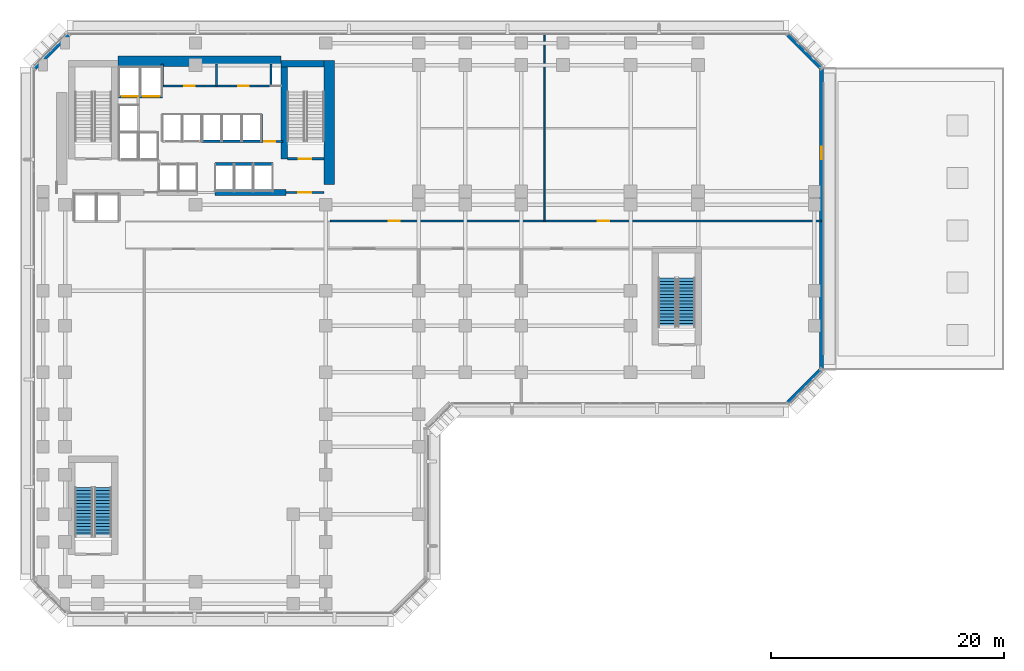
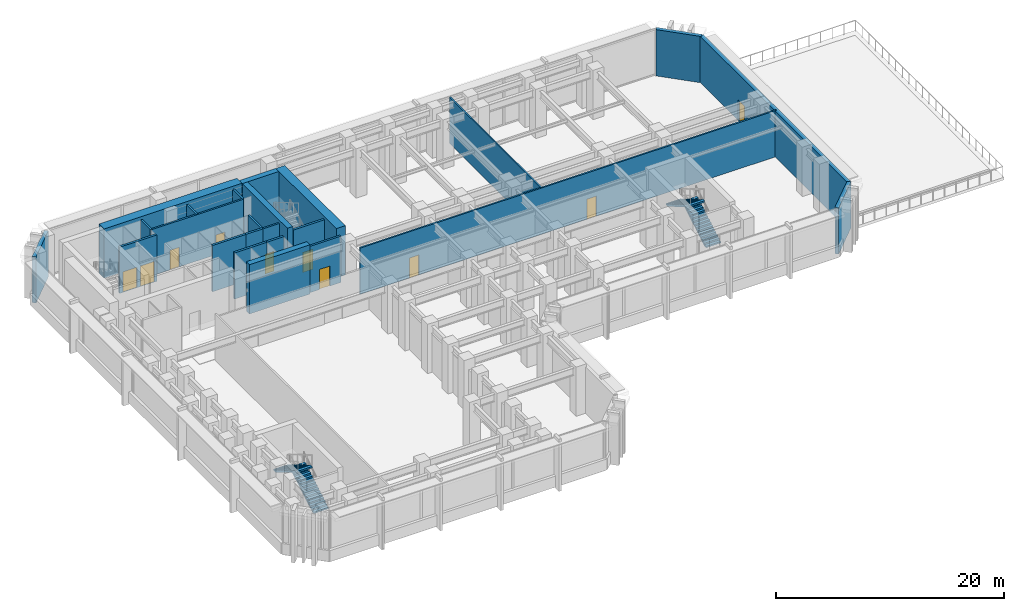
# One storey, part 8 of 16: 24 walls, 10 doors, 4 stair flights, 10 openings, 2 elements without a shape of their own.
"""IFC4 building model written with IfcOpenShell, lengths in metres."""

from ifc_helpers import new_model, si_unit, direction, frame, frame_2d, origin, place, context, subcontext, project, spatial, polyline, rectangle, outline, extrude, material, layer, layer_set, type_object, element, fill, aggregate, save


model = new_model("IFC4")

# Units and contexts
model_context = context("Model", 3, precision=1e-05, world=origin(), true_north=direction((0.0, 1.0)))
body_context = subcontext(model_context, "Body", "Model", "MODEL_VIEW")
ifc_project = project(units=[si_unit("LENGTHUNIT", "METRE"), si_unit("AREAUNIT", "SQUARE_METRE"), si_unit("VOLUMEUNIT", "CUBIC_METRE"), si_unit("PLANEANGLEUNIT", "RADIAN"), si_unit("MASSUNIT", "GRAM", prefix="KILO")], contexts=[model_context])

# Site, building, storey
site_placement = place(None, origin())
site = spatial("IfcSite", under=ifc_project, at=site_placement, CompositionType="ELEMENT")
building_placement = place(site_placement, origin())
building = spatial("IfcBuilding", under=site, at=building_placement, Name="Kefirva Bronze Tower", CompositionType="ELEMENT")
storey_placement = place(building_placement, frame((0.0, 0.0, 11.219970703125)))
storey = spatial("IfcBuildingStorey", under=building, at=storey_placement, Name="L02", CompositionType="ELEMENT", Elevation=11.219970703125)

# Wall
ifc_material_1 = material(Name="Gypsum acoustic partition")
ifc_layer_1 = layer(ifc_material_1, 0.1298828125, Name="Gypsum acoustic partition")
ifc_layer_set_1 = layer_set([ifc_layer_1], Name="Gypsum acoustic partition")
wall_type_1 = type_object("IfcWallType", Name="Acoustic Office Partition 130mm", PredefinedType="PARTITIONING", material=ifc_layer_set_1)
wall_1_placement = place(storey_placement, frame((42.0, 31.800048828125, 0.0), z_axis=(0.0, 0.0, 1.0), x_axis=(0.0, 1.0, 0.0)))
element("IfcWall", 1, at=wall_1_placement, inside=storey, type_object=wall_type_1, Name="L02 Partition W-L02-NDV", PredefinedType="PARTITIONING", context=body_context, shape_type="SweptSolid", body=[
    extrude(rectangle(XDim=16.010009765625, YDim=0.1298828125, at=frame_2d((8.0048828125, 0.0))), origin(), (0.0, 0.0, 1.0), 4.9599609375),
])

# Wall, opening, door
ifc_material_2 = material(Name="Gypsum fireboard shaftwall")
ifc_layer_2 = layer(ifc_material_2, 0.219970703125, Name="Gypsum fireboard shaftwall")
ifc_layer_set_2 = layer_set([ifc_layer_2], Name="Gypsum fireboard shaftwall")
wall_type_2 = type_object("IfcWallType", Name="Fire-Rated Shaft Enclosure Wall 220mm", PredefinedType="PARTITIONING", material=ifc_layer_set_2)
wall_2_placement = place(storey_placement, frame((19.89990234375, 37.14990234375, 0.0), z_axis=(0.0, 0.0, 1.0), x_axis=(1.0, 0.0, 0.0)))
wall_2 = element("IfcWall", 2, at=wall_2_placement, inside=storey, type_object=wall_type_2, Name="L02 Partition W-L02-ST2S", PredefinedType="PARTITIONING", context=body_context, shape_type="SweptSolid", body=[
    extrude(rectangle(XDim=3.150146484375, YDim=0.219970703125, at=frame_2d((1.5751953125, 0.0))), origin(), (0.0, 0.0, 1.0), 4.9599609375),
])
opening_1_placement = place(wall_2_placement, frame((2.050048828125, 0.0, 0.0), z_axis=(0.0, 0.0, 1.0), x_axis=(-1.0, 0.0, 0.0)))
opening_1 = element("IfcOpeningElement", 3, at=opening_1_placement, cuts=wall_2, Name="Opening L02-D003", PredefinedType="OPENING", context=body_context, shape_type="SweptSolid", body=[
    extrude(rectangle(XDim=1.050048828125, YDim=2.14990234375, at=frame_2d((0.52490234375, 1.074951171875))), frame((0.0, 0.1201171875, 0.0), z_axis=(0.0, -1.0, 0.0), x_axis=(1.0, 0.0, 0.0)), (0.0, 0.0, 1.0), 0.239990234375),
])
ifc_material_3 = material(Name="Painted galvanized steel", Category="steel")
door_type_1 = type_object("IfcDoorType", Name="Fire Stair Enclosure Door 1050x2150 FD90S", OperationType="NOTDEFINED", PredefinedType="DOOR", material=ifc_material_3)
door_1_placement = place(opening_1_placement, origin())
door_1 = element("IfcDoor", 4, at=door_1_placement, inside=storey, type_object=door_type_1, Name="Door L02-D003", OperationType="SINGLE_SWING_RIGHT", OverallHeight=2.14990234375, OverallWidth=1.050048828125, PredefinedType="DOOR", context=body_context, shape_type="SweptSolid", body=[
    extrude(rectangle(XDim=1.050048828125, YDim=2.14990234375, at=frame_2d((0.52490234375, 1.074951171875))), frame((0.0, 0.02490234375, 0.0), z_axis=(0.0, -1.0, 0.0), x_axis=(1.0, 0.0, 0.0)), (0.0, 0.0, 1.0), 0.050048828125),
])
fill(opening_1, door_1)

# Wall, openings, doors
wall_3_placement = place(storey_placement, frame((5.3798828125, 42.5, 0.0), z_axis=(0.0, 0.0, 1.0), x_axis=(1.0, 0.0, 0.0)))
wall_3 = element("IfcWall", 5, at=wall_3_placement, inside=storey, type_object=wall_type_2, Name="L02 Partition W-L02-SVS", PredefinedType="PARTITIONING", context=body_context, shape_type="SweptSolid", body=[
    extrude(rectangle(XDim=3.77001953125, YDim=0.219970703125, at=frame_2d((1.885009765625, 0.0))), origin(), (0.0, 0.0, 1.0), 4.9599609375),
])
opening_2_placement = place(wall_3_placement, frame((1.75, 0.0, 0.0), z_axis=(0.0, 0.0, 1.0), x_axis=(-1.0, 0.0, 0.0)))
opening_2 = element("IfcOpeningElement", 6, at=opening_2_placement, cuts=wall_3, Name="Opening L02-LD-SV1", PredefinedType="OPENING", context=body_context, shape_type="SweptSolid", body=[
    extrude(rectangle(XDim=1.39990234375, YDim=2.199951171875, at=frame_2d((0.699951171875, 1.10009765625))), frame((0.0, 0.1201171875, 0.0), z_axis=(0.0, -1.0, 0.0), x_axis=(1.0, 0.0, 0.0)), (0.0, 0.0, 1.0), 0.239990234375),
])
opening_3_placement = place(wall_3_placement, frame((3.52978515625, 0.0, 0.0), z_axis=(0.0, 0.0, 1.0), x_axis=(-1.0, 0.0, 0.0)))
opening_3 = element("IfcOpeningElement", 7, at=opening_3_placement, cuts=wall_3, Name="Opening L02-LD-SV2", PredefinedType="OPENING", context=body_context, shape_type="SweptSolid", body=[
    extrude(rectangle(XDim=1.39990234375, YDim=2.199951171875, at=frame_2d((0.699951171875, 1.10009765625))), frame((0.0, 0.1201171875, 0.0), z_axis=(0.0, -1.0, 0.0), x_axis=(1.0, 0.0, 0.0)), (0.0, 0.0, 1.0), 0.239990234375),
])
ifc_material_4 = material(Name="Stainless steel 316", Category="steel")
door_type_2 = type_object("IfcDoorType", Name="Goods Lift Bi-Parting Sliding Door 1400x2200", OperationType="SLIDING_TO_LEFT", PredefinedType="DOOR", material=ifc_material_4)
door_2_placement = place(opening_2_placement, origin())
door_2 = element("IfcDoor", 8, at=door_2_placement, inside=storey, type_object=door_type_2, Name="Door L02-LD-SV1", OperationType="SLIDING_TO_LEFT", OverallHeight=2.199951171875, OverallWidth=1.39990234375, PredefinedType="DOOR", context=body_context, shape_type="SweptSolid", body=[
    extrude(rectangle(XDim=1.39990234375, YDim=2.199951171875, at=frame_2d((0.699951171875, 1.10009765625))), frame((0.0, 0.02490234375, 0.0), z_axis=(0.0, -1.0, 0.0), x_axis=(1.0, 0.0, 0.0)), (0.0, 0.0, 1.0), 0.050048828125),
])
fill(opening_2, door_2)
door_3_placement = place(opening_3_placement, origin())
door_3 = element("IfcDoor", 9, at=door_3_placement, inside=storey, type_object=door_type_2, Name="Door L02-LD-SV2", OperationType="SLIDING_TO_LEFT", OverallHeight=2.199951171875, OverallWidth=1.39990234375, PredefinedType="DOOR", context=body_context, shape_type="SweptSolid", body=[
    extrude(rectangle(XDim=1.39990234375, YDim=2.199951171875, at=frame_2d((0.699951171875, 1.10009765625))), frame((0.0, 0.02490234375, 0.0), z_axis=(0.0, -1.0, 0.0), x_axis=(1.0, 0.0, 0.0)), (0.0, 0.0, 1.0), 0.050048828125),
])
fill(opening_3, door_3)

# Walls
wall_4_placement = place(storey_placement, frame((17.679931640625, 38.64990234375, 0.0), z_axis=(0.0, 0.0, 1.0), x_axis=(0.0, 1.0, 0.0)))
element("IfcWall", 10, at=wall_4_placement, inside=storey, type_object=wall_type_2, Name="L02 Partition W-L02-HP2E", PredefinedType="PARTITIONING", context=body_context, shape_type="SweptSolid", body=[
    extrude(rectangle(XDim=2.35009765625, YDim=0.199951171875, at=frame_2d((1.175048828125, 0.0))), origin(), (0.0, 0.0, 1.0), 4.9599609375),
])
wall_5_placement = place(storey_placement, frame((13.679931640625, 36.699951171875, 0.0), z_axis=(0.0, 0.0, 1.0), x_axis=(1.0, 0.0, 0.0)))
element("IfcWall", 11, at=wall_5_placement, inside=storey, type_object=wall_type_2, Name="L02 Partition W-L02-MPS", PredefinedType="PARTITIONING", context=body_context, shape_type="SweptSolid", body=[
    extrude(rectangle(XDim=3.280029296875, YDim=0.219970703125, at=frame_2d((1.64013671875, 0.0))), origin(), (0.0, 0.0, 1.0), 4.9599609375),
])
wall_6_placement = place(storey_placement, frame((12.580078125, 38.64990234375, 0.0), z_axis=(0.0, 0.0, 1.0), x_axis=(1.0, 0.0, 0.0)))
element("IfcWall", 12, at=wall_6_placement, inside=storey, type_object=wall_type_2, Name="L02 Partition W-L02-MPN", PredefinedType="PARTITIONING", context=body_context, shape_type="SweptSolid", body=[
    extrude(rectangle(XDim=3.3798828125, YDim=0.219970703125, at=frame_2d((1.68994140625, 0.0))), origin(), (0.0, 0.0, 1.0), 4.9599609375),
])
wall_7_placement = place(storey_placement, frame((16.97998046875, 36.699951171875, 0.0), z_axis=(0.0, 0.0, 1.0), x_axis=(1.0, 0.0, 0.0)))
element("IfcWall", 13, at=wall_7_placement, inside=storey, type_object=wall_type_2, Name="L02 Partition W-L02-HPS", PredefinedType="PARTITIONING", context=body_context, shape_type="SweptSolid", body=[
    extrude(rectangle(XDim=1.699951171875, YDim=0.219970703125, at=frame_2d((0.85009765625, 0.0))), origin(), (0.0, 0.0, 1.0), 4.9599609375),
])
wall_8_placement = place(storey_placement, frame((15.97998046875, 38.64990234375, 0.0), z_axis=(0.0, 0.0, 1.0), x_axis=(1.0, 0.0, 0.0)))
element("IfcWall", 14, at=wall_8_placement, inside=storey, type_object=wall_type_2, Name="L02 Partition W-L02-HPN", PredefinedType="PARTITIONING", context=body_context, shape_type="SweptSolid", body=[
    extrude(rectangle(XDim=1.719970703125, YDim=0.219970703125, at=frame_2d((0.85986328125, 0.0))), origin(), (0.0, 0.0, 1.0), 4.9599609375),
])

# Wall, opening, door
ifc_material_5 = material(Name="Gypsum fireboard barrier")
ifc_layer_3 = layer(ifc_material_5, 0.199951171875, Name="Gypsum fireboard barrier")
ifc_layer_set_3 = layer_set([ifc_layer_3], Name="Gypsum fireboard barrier")
wall_type_3 = type_object("IfcWallType", Name="Firefighting Lobby Barrier Wall 200mm", PredefinedType="PARTITIONING", material=ifc_layer_set_3)
wall_9_placement = place(storey_placement, frame((19.800048828125, 34.25, 0.0), z_axis=(0.0, 0.0, 1.0), x_axis=(1.0, 0.0, 0.0)))
wall_9 = element("IfcWall", 15, at=wall_9_placement, inside=storey, type_object=wall_type_3, Name="L02 Partition W-L02-ST2F", PredefinedType="PARTITIONING", context=body_context, shape_type="SweptSolid", body=[
    extrude(rectangle(XDim=3.25, YDim=0.199951171875, at=frame_2d((1.625, 0.0))), origin(), (0.0, 0.0, 1.0), 4.9599609375),
])
opening_4_placement = place(wall_9_placement, frame((2.150146484375, 0.0, 0.0), z_axis=(0.0, 0.0, 1.0), x_axis=(-1.0, 0.0, 0.0)))
opening_4 = element("IfcOpeningElement", 16, at=opening_4_placement, cuts=wall_9, Name="Opening L02-D004", PredefinedType="OPENING", context=body_context, shape_type="SweptSolid", body=[
    extrude(rectangle(XDim=1.10009765625, YDim=2.14990234375, at=frame_2d((0.550048828125, 1.074951171875))), frame((0.0, 0.10986328125, 0.0), z_axis=(0.0, -1.0, 0.0), x_axis=(1.0, 0.0, 0.0)), (0.0, 0.0, 1.0), 0.219970703125),
])
door_type_3 = type_object("IfcDoorType", Name="Firefighting Lobby Smoke Door 1100x2150 FD60S", OperationType="NOTDEFINED", PredefinedType="DOOR", material=ifc_material_3)
door_4_placement = place(opening_4_placement, origin())
door_4 = element("IfcDoor", 17, at=door_4_placement, inside=storey, type_object=door_type_3, Name="Door L02-D004", OperationType="SINGLE_SWING_LEFT", OverallHeight=2.14990234375, OverallWidth=1.10009765625, PredefinedType="DOOR", context=body_context, shape_type="SweptSolid", body=[
    extrude(rectangle(XDim=1.10009765625, YDim=2.14990234375, at=frame_2d((0.550048828125, 1.074951171875))), frame((0.0, 0.02490234375, 0.0), z_axis=(0.0, -1.0, 0.0), x_axis=(1.0, 0.0, 0.0)), (0.0, 0.0, 1.0), 0.050048828125),
])
fill(opening_4, door_4)

wall_10_placement = place(storey_placement, frame((17.679931640625, 38.6201171875, 0.0), z_axis=(0.0, 0.0, 1.0), x_axis=(1.0, 0.0, 0.0)))
wall_10 = element("IfcWall", 18, at=wall_10_placement, inside=storey, type_object=wall_type_3, Name="L02 Partition W-L02-CPASS", PredefinedType="PARTITIONING", context=body_context, shape_type="SweptSolid", body=[
    extrude(rectangle(XDim=1.840087890625, YDim=0.179931640625, at=frame_2d((0.919921875, 0.0))), origin(), (0.0, 0.0, 1.0), 4.9599609375),
])
opening_5_placement = place(wall_10_placement, frame((0.239990234375, 0.0, 0.0)))
opening_5 = element("IfcOpeningElement", 19, at=opening_5_placement, cuts=wall_10, Name="Opening L02-D-CPAS", PredefinedType="OPENING", context=body_context, shape_type="SweptSolid", body=[
    extrude(rectangle(XDim=0.919921875, YDim=2.10009765625, at=frame_2d((0.4599609375, 1.050048828125))), frame((0.0, 0.10009765625, 0.0), z_axis=(0.0, -1.0, 0.0), x_axis=(1.0, 0.0, 0.0)), (0.0, 0.0, 1.0), 0.199951171875),
])
ifc_material_6 = material(Name="Moisture-resistant timber", Category="wood")
door_type_4 = type_object("IfcDoorType", Name="Accessible Sanitary & WC Door 920x2100", OperationType="NOTDEFINED", PredefinedType="DOOR", material=ifc_material_6)
door_5_placement = place(opening_5_placement, origin())
door_5 = element("IfcDoor", 20, at=door_5_placement, inside=storey, type_object=door_type_4, Name="Door L02-D-CPAS", OperationType="SINGLE_SWING_RIGHT", OverallHeight=2.10009765625, OverallWidth=0.919921875, PredefinedType="DOOR", context=body_context, shape_type="SweptSolid", body=[
    extrude(rectangle(XDim=0.919921875, YDim=2.10009765625, at=frame_2d((0.4599609375, 1.050048828125))), frame((0.0, 0.02490234375, 0.0), z_axis=(0.0, -1.0, 0.0), x_axis=(1.0, 0.0, 0.0)), (0.0, 0.0, 1.0), 0.050048828125),
])
fill(opening_5, door_5)

# Wall
ifc_material_7 = material(Name="Precast concrete C40/50", Category="concrete")
ifc_layer_4 = layer(ifc_material_7, 0.360107421875, Name="Precast concrete C40/50")
ifc_layer_set_4 = layer_set([ifc_layer_4], Name="Precast concrete C40/50")
wall_type_4 = type_object("IfcWallType", Name="Precast Podium Facade Wall 360mm", PredefinedType="SOLIDWALL", material=ifc_layer_set_4)
wall_11_placement = place(storey_placement, frame((62.91162109375, 16.166259765625, 0.0), z_axis=(0.0, 0.0, 1.0), x_axis=(0.707106781187, 0.707106781187, 0.0)))
element("IfcWall", 21, at=wall_11_placement, inside=storey, type_object=wall_type_4, Name="L02 Exterior Facade Wall 4", PredefinedType="SOLIDWALL", context=body_context, shape_type="SweptSolid", body=[
    extrude(rectangle(XDim=4.132568359375, YDim=0.360107421875, at=frame_2d((2.06640625, 0.0))), origin(), (0.0, 0.0, 1.0), 4.9599609375),
])

# Wall, opening, door
wall_12_placement = place(storey_placement, frame((65.820068359375, 19.054931640625, 0.0), z_axis=(0.0, 0.0, 1.0), x_axis=(0.0, 1.0, 0.0)))
wall_12 = element("IfcWall", 22, at=wall_12_placement, inside=storey, type_object=wall_type_4, Name="L02 Exterior Facade Wall 5", PredefinedType="SOLIDWALL", context=body_context, shape_type="SweptSolid", body=[
    extrude(rectangle(XDim=25.89013671875, YDim=0.360107421875, at=frame_2d((12.945068359375, 0.0))), origin(), (0.0, 0.0, 1.0), 4.9599609375),
])
opening_6_placement = place(wall_12_placement, frame((19.140869140625, 0.0, 0.0), z_axis=(0.0, 0.0, 1.0), x_axis=(-1.0, 0.0, 0.0)))
opening_6 = element("IfcOpeningElement", 23, at=opening_6_placement, cuts=wall_12, Name="Opening D-TR1", PredefinedType="OPENING", context=body_context, shape_type="SweptSolid", body=[
    extrude(rectangle(XDim=1.10009765625, YDim=2.199951171875, at=frame_2d((0.550048828125, 1.10009765625))), frame((0.0, 0.18994140625, 0.0), z_axis=(0.0, -1.0, 0.0), x_axis=(1.0, 0.0, 0.0)), (0.0, 0.0, 1.0), 0.380126953125),
])
ifc_material_8 = material(Name="Bronze anodised aluminium", Category="aluminium")
door_type_5 = type_object("IfcDoorType", Name="Exterior Sky-Terrace Glazed Door 1100x2200", OperationType="NOTDEFINED", PredefinedType="DOOR", material=ifc_material_8)
door_6_placement = place(opening_6_placement, origin())
door_6 = element("IfcDoor", 24, at=door_6_placement, inside=storey, type_object=door_type_5, Name="L02 Sky-Garden Terrace Access Door", OperationType="SINGLE_SWING_LEFT", OverallHeight=2.199951171875, OverallWidth=1.10009765625, PredefinedType="DOOR", context=body_context, shape_type="SweptSolid", body=[
    extrude(rectangle(XDim=1.10009765625, YDim=2.199951171875, at=frame_2d((0.550048828125, 1.10009765625))), frame((0.0, 0.02490234375, 0.0), z_axis=(0.0, -1.0, 0.0), x_axis=(1.0, 0.0, 0.0)), (0.0, 0.0, 1.0), 0.050048828125),
])
fill(opening_6, door_6)

# Walls
for number, where, z_axis, x_axis, name in (
    (25, (65.833740234375, 44.91162109375, 0.0), (0.0, 0.0, 1.0), (-0.707106781187, 0.707106781187, 0.0), "L02 Exterior Facade Wall 6"),
    (26, (1.08837890625, 47.833740234375, 0.0), (0.0, 0.0, 1.0), (-0.707106781187, -0.707106781187, 0.0), "L02 Exterior Facade Wall 7"),
):
    element("IfcWall", number, at=place(storey_placement, frame(where, z_axis=z_axis, x_axis=x_axis)), inside=storey, type_object=wall_type_4, Name=name, PredefinedType="SOLIDWALL", context=body_context, shape_type="SweptSolid", body=[
        extrude(rectangle(XDim=4.132568359375, YDim=0.360107421875, at=frame_2d((2.06640625, 0.0))), origin(), (0.0, 0.0, 1.0), 4.9599609375),
    ])

# Wall, openings, doors
ifc_layer_5 = layer(ifc_material_1, 0.159912109375, Name="Gypsum acoustic partition")
ifc_layer_set_5 = layer_set([ifc_layer_5], Name="Gypsum acoustic partition")
wall_type_5 = type_object("IfcWallType", Name="Protected Corridor Partition 160mm", PredefinedType="PARTITIONING", material=ifc_layer_set_5)
wall_13_placement = place(storey_placement, frame((23.60009765625, 31.800048828125, 0.0), z_axis=(0.0, 0.0, 1.0), x_axis=(1.0, 0.0, 0.0)))
wall_13 = element("IfcWall", 27, at=wall_13_placement, inside=storey, type_object=wall_type_5, Name="L02 Partition W-L02-N", PredefinedType="PARTITIONING", context=body_context, shape_type="SweptSolid", body=[
    extrude(rectangle(XDim=42.2099609375, YDim=0.159912109375, at=frame_2d((21.10498046875, 0.0))), origin(), (0.0, 0.0, 1.0), 4.9599609375),
])
opening_7_placement = place(wall_13_placement, frame((5.0, 0.0, 0.0)))
opening_7 = element("IfcOpeningElement", 28, at=opening_7_placement, cuts=wall_13, Name="Opening L02-D-AV", PredefinedType="OPENING", context=body_context, shape_type="SweptSolid", body=[
    extrude(rectangle(XDim=0.949951171875, YDim=2.14990234375, at=frame_2d((0.47509765625, 1.074951171875))), frame((0.0, 0.08984375, 0.0), z_axis=(0.0, -1.0, 0.0), x_axis=(1.0, 0.0, 0.0)), (0.0, 0.0, 1.0), 0.179931640625),
])
opening_8_placement = place(wall_13_placement, frame((23.0, 0.0, 0.0)))
opening_8 = element("IfcOpeningElement", 29, at=opening_8_placement, cuts=wall_13, Name="Opening L02-D-OF", PredefinedType="OPENING", context=body_context, shape_type="SweptSolid", body=[
    extrude(rectangle(XDim=0.949951171875, YDim=2.14990234375, at=frame_2d((0.47509765625, 1.074951171875))), frame((0.0, 0.08984375, 0.0), z_axis=(0.0, -1.0, 0.0), x_axis=(1.0, 0.0, 0.0)), (0.0, 0.0, 1.0), 0.179931640625),
])
ifc_material_9 = material(Name="Acoustic hardwood oak", Category="wood")
door_type_6 = type_object("IfcDoorType", Name="Office & Meeting Room Door 950x2150", OperationType="NOTDEFINED", PredefinedType="DOOR", material=ifc_material_9)
door_7_placement = place(opening_7_placement, origin())
door_7 = element("IfcDoor", 30, at=door_7_placement, inside=storey, type_object=door_type_6, Name="Door L02-D-AV", OperationType="SINGLE_SWING_RIGHT", OverallHeight=2.14990234375, OverallWidth=0.949951171875, PredefinedType="DOOR", context=body_context, shape_type="SweptSolid", body=[
    extrude(rectangle(XDim=0.949951171875, YDim=2.14990234375, at=frame_2d((0.47509765625, 1.074951171875))), frame((0.0, 0.02490234375, 0.0), z_axis=(0.0, -1.0, 0.0), x_axis=(1.0, 0.0, 0.0)), (0.0, 0.0, 1.0), 0.050048828125),
])
fill(opening_7, door_7)
door_8_placement = place(opening_8_placement, origin())
door_8 = element("IfcDoor", 31, at=door_8_placement, inside=storey, type_object=door_type_6, Name="Door L02-D-OF", OperationType="SINGLE_SWING_LEFT", OverallHeight=2.14990234375, OverallWidth=0.949951171875, PredefinedType="DOOR", context=body_context, shape_type="SweptSolid", body=[
    extrude(rectangle(XDim=0.949951171875, YDim=2.14990234375, at=frame_2d((0.47509765625, 1.074951171875))), frame((0.0, 0.02490234375, 0.0), z_axis=(0.0, -1.0, 0.0), x_axis=(1.0, 0.0, 0.0)), (0.0, 0.0, 1.0), 0.050048828125),
])
fill(opening_8, door_8)

# Walls
ifc_material_10 = material(Name="Concrete C50/60", Category="concrete")
ifc_layer_6 = layer(ifc_material_10, 0.550048828125, Name="Concrete C50/60")
ifc_layer_set_6 = layer_set([ifc_layer_6], Name="Concrete C50/60")
wall_type_6 = type_object("IfcWallType", Name="RC Rear Core Interior Wall 550mm", PredefinedType="SHEAR", material=ifc_layer_set_6)
wall_14_placement = place(storey_placement, frame((19.6201171875, 37.14990234375, 0.0), z_axis=(0.0, 0.0, 1.0), x_axis=(0.0, 1.0, 0.0)))
element("IfcWall", 32, at=wall_14_placement, inside=storey, type_object=wall_type_6, Name="L02 Stair 2 West Shear Wall", PredefinedType="SHEAR", context=body_context, shape_type="SweptSolid", body=[
    extrude(rectangle(XDim=7.89013671875, YDim=0.550048828125, at=frame_2d((3.945068359375, 0.0))), origin(), (0.0, 0.0, 1.0), 5.280029296875),
])
wall_15_placement = place(storey_placement, frame((19.35009765625, 45.320068359375, 0.0), z_axis=(0.0, 0.0, 1.0), x_axis=(1.0, 0.0, 0.0)))
element("IfcWall", 33, at=wall_15_placement, inside=storey, type_object=wall_type_6, Name="L02 Stair 2 North Shear Wall", PredefinedType="SHEAR", context=body_context, shape_type="SweptSolid", body=[
    extrude(rectangle(XDim=3.68994140625, YDim=0.550048828125, at=frame_2d((1.844970703125, 0.0))), origin(), (0.0, 0.0, 1.0), 5.280029296875),
])
ifc_material_11 = material(Name="Concrete C60/75", Category="concrete")
ifc_layer_7 = layer(ifc_material_11, 0.89990234375, Name="Concrete C60/75")
ifc_layer_set_7 = layer_set([ifc_layer_7], Name="Concrete C60/75")
wall_type_7 = type_object("IfcWallType", Name="RC Rear Core Interior Wall 900mm", PredefinedType="SHEAR", material=ifc_layer_set_7)
wall_16_placement = place(storey_placement, frame((5.360107421875, 45.550048828125, 0.0), z_axis=(0.0, 0.0, 1.0), x_axis=(1.0, 0.0, 0.0)))
element("IfcWall", 34, at=wall_16_placement, inside=storey, type_object=wall_type_7, Name="L02 Rear Core North Shear Wall", PredefinedType="SHEAR", context=body_context, shape_type="SweptSolid", body=[
    extrude(rectangle(XDim=13.97998046875, YDim=0.89990234375, at=frame_2d((6.989990234375, 0.0))), origin(), (0.0, 0.0, 1.0), 5.280029296875),
])
wall_17_placement = place(storey_placement, frame((23.5, 34.949951171875, 0.0), z_axis=(0.0, 0.0, 1.0), x_axis=(0.0, 1.0, 0.0)))
element("IfcWall", 35, at=wall_17_placement, inside=storey, type_object=wall_type_7, Name="L02 Rear Core East Shear Wall", PredefinedType="SHEAR", context=body_context, shape_type="SweptSolid", body=[
    extrude(rectangle(XDim=10.64013671875, YDim=0.89990234375, at=frame_2d((5.320068359375, 0.0))), origin(), (0.0, 0.0, 1.0), 5.280029296875),
])
wall_18_placement = place(storey_placement, frame((13.679931640625, 34.25, 0.0), z_axis=(0.0, 0.0, 1.0), x_axis=(1.0, 0.0, 0.0)))
element("IfcWall", 36, at=wall_18_placement, inside=storey, type_object=wall_type_7, Name="L02 Rear Core South-East Shear Wall", PredefinedType="SHEAR", context=body_context, shape_type="SweptSolid", body=[
    extrude(rectangle(XDim=6.1201171875, YDim=0.550048828125, at=frame_2d((3.06005859375, 0.0))), origin(), (0.0, 0.0, 1.0), 5.280029296875),
])

# Wall, openings, doors
ifc_material_12 = material(Name="Moisture-resistant partition")
ifc_layer_8 = layer(ifc_material_12, 0.179931640625, Name="Moisture-resistant partition")
ifc_layer_set_8 = layer_set([ifc_layer_8], Name="Moisture-resistant partition")
wall_type_8 = type_object("IfcWallType", Name="Sanitary Plumbing Chase Wall 180mm", PredefinedType="PLUMBINGWALL", material=ifc_layer_set_8)
wall_19_placement = place(storey_placement, frame((9.14990234375, 43.39990234375, 0.0), z_axis=(0.0, 0.0, 1.0), x_axis=(1.0, 0.0, 0.0)))
wall_19 = element("IfcWall", 37, at=wall_19_placement, inside=storey, type_object=wall_type_8, Name="L02 Partition W-L02-SVCS", PredefinedType="PLUMBINGWALL", context=body_context, shape_type="SweptSolid", body=[
    extrude(rectangle(XDim=9.330078125, YDim=0.179931640625, at=frame_2d((4.6650390625, 0.0))), origin(), (0.0, 0.0, 1.0), 4.9599609375),
])
opening_9_placement = place(wall_19_placement, frame((1.8798828125, 0.0, 0.0)))
opening_9 = element("IfcOpeningElement", 38, at=opening_9_placement, cuts=wall_19, Name="Opening L02-D-CSVC1", PredefinedType="OPENING", context=body_context, shape_type="SweptSolid", body=[
    extrude(rectangle(XDim=0.919921875, YDim=2.10009765625, at=frame_2d((0.4599609375, 1.050048828125))), frame((0.0, 0.10009765625, 0.0), z_axis=(0.0, -1.0, 0.0), x_axis=(1.0, 0.0, 0.0)), (0.0, 0.0, 1.0), 0.199951171875),
])
opening_10_placement = place(wall_19_placement, frame((6.514892578125, 0.0, 0.0)))
opening_10 = element("IfcOpeningElement", 39, at=opening_10_placement, cuts=wall_19, Name="Opening L02-D-CSVC2", PredefinedType="OPENING", context=body_context, shape_type="SweptSolid", body=[
    extrude(rectangle(XDim=0.919921875, YDim=2.10009765625, at=frame_2d((0.4599609375, 1.050048828125))), frame((0.0, 0.10009765625, 0.0), z_axis=(0.0, -1.0, 0.0), x_axis=(1.0, 0.0, 0.0)), (0.0, 0.0, 1.0), 0.199951171875),
])
door_9_placement = place(opening_9_placement, origin())
door_9 = element("IfcDoor", 40, at=door_9_placement, inside=storey, type_object=door_type_4, Name="Door L02-D-CSVC1", OperationType="SINGLE_SWING_LEFT", OverallHeight=2.10009765625, OverallWidth=0.919921875, PredefinedType="DOOR", context=body_context, shape_type="SweptSolid", body=[
    extrude(rectangle(XDim=0.919921875, YDim=2.10009765625, at=frame_2d((0.4599609375, 1.050048828125))), frame((0.0, 0.02490234375, 0.0), z_axis=(0.0, -1.0, 0.0), x_axis=(1.0, 0.0, 0.0)), (0.0, 0.0, 1.0), 0.050048828125),
])
fill(opening_9, door_9)
door_10_placement = place(opening_10_placement, origin())
door_10 = element("IfcDoor", 41, at=door_10_placement, inside=storey, type_object=door_type_4, Name="Door L02-D-CSVC2", OperationType="SINGLE_SWING_RIGHT", OverallHeight=2.10009765625, OverallWidth=0.919921875, PredefinedType="DOOR", context=body_context, shape_type="SweptSolid", body=[
    extrude(rectangle(XDim=0.919921875, YDim=2.10009765625, at=frame_2d((0.4599609375, 1.050048828125))), frame((0.0, 0.02490234375, 0.0), z_axis=(0.0, -1.0, 0.0), x_axis=(1.0, 0.0, 0.0)), (0.0, 0.0, 1.0), 0.050048828125),
])
fill(opening_10, door_10)

# Walls
for number, where, z_axis, x_axis, name in (
    (42, (9.14990234375, 43.39990234375, 0.0), (0.0, 0.0, 1.0), (0.0, 1.0, 0.0), "L02 Partition W-L02-SVCW"),
    (43, (18.47998046875, 43.39990234375, 0.0), (0.0, 0.0, 1.0), (0.0, 1.0, 0.0), "L02 Partition W-L02-SVCE"),
    (44, (13.800048828125, 43.39990234375, 0.0), (0.0, 0.0, 1.0), (0.0, 1.0, 0.0), "L02 Partition W-L02-CSVD-1"),
):
    element("IfcWall", number, at=place(storey_placement, frame(where, z_axis=z_axis, x_axis=x_axis)), inside=storey, type_object=wall_type_8, Name=name, PredefinedType="PLUMBINGWALL", context=body_context, shape_type="SweptSolid", body=[
        extrude(rectangle(XDim=1.880126953125, YDim=0.179931640625, at=frame_2d((0.93994140625, 0.0))), origin(), (0.0, 0.0, 1.0), 4.9599609375),
    ])

# Stair, stair flights
ifc_material_13 = material(Name="Concrete C40/50", Category="concrete")
stair_type = type_object("IfcStairType", Name="RC Dogleg Protected Stair 32R", PredefinedType="HALF_TURN_STAIR", material=ifc_material_13)
stair_1_placement = place(storey_placement, origin())
stair_1 = element("IfcStair", 45, at=stair_1_placement, inside=storey, type_object=stair_type, Name="L02 Podium Exit Stair 3", PredefinedType="HALF_TURN_STAIR")
stair_flight_type = type_object("IfcStairFlightType", Name="RC Straight Stair Flight 32R", PredefinedType="STRAIGHT", material=ifc_material_13)
stair_flight_1_placement = place(storey_placement, frame((4.050048828125, 4.699951171875, 0.0), z_axis=(0.0, 0.0, 1.0), x_axis=(0.0, 1.0, 0.0)))
stair_flight_1 = element("IfcStairFlight", 46, at=stair_flight_1_placement, type_object=stair_flight_type, Name="ST-3 flight 1", NumberOfRisers=16, NumberOfTreads=15, PredefinedType="STRAIGHT", RiserHeight=0.165, TreadLength=0.28, context=body_context, shape_type="SweptSolid", body=[
    extrude(outline(polyline([(0.0, 0.0), (0.0, 0.1650390625), (0.280029296875, 0.1650390625), (0.280029296875, 0.330078125), (0.56005859375, 0.330078125), (0.56005859375, 0.4951171875), (0.840087890625, 0.4951171875), (0.840087890625, 0.659912109375), (1.1201171875, 0.659912109375), (1.1201171875, 0.824951171875), (1.39990234375, 0.824951171875), (1.39990234375, 0.989990234375), (1.679931640625, 0.989990234375), (1.679931640625, 1.155029296875), (1.9599609375, 1.155029296875), (1.9599609375, 1.320068359375), (2.239990234375, 1.320068359375), (2.239990234375, 1.485107421875), (2.52001953125, 1.485107421875), (2.52001953125, 1.64990234375), (2.800048828125, 1.64990234375), (2.800048828125, 1.81494140625), (3.080078125, 1.81494140625), (3.080078125, 1.97998046875), (3.360107421875, 1.97998046875), (3.360107421875, 2.14501953125), (3.639892578125, 2.14501953125), (3.639892578125, 2.31005859375), (3.919921875, 2.31005859375), (3.919921875, 2.47509765625), (4.199951171875, 2.47509765625), (4.199951171875, 2.639892578125), (4.199951171875, 2.301025390625), (0.295166015625, 0.0), (0.0, 0.0)])), frame((0.0, 0.75, 0.0), z_axis=(0.0, -1.0, 0.0), x_axis=(1.0, 0.0, 0.0)), (0.0, 0.0, 1.0), 1.5),
])
stair_flight_2_placement = place(storey_placement, frame((2.39990234375, 8.89990234375, 2.64013671875), z_axis=(0.0, 0.0, 1.0), x_axis=(0.0, -1.0, 0.0)))
stair_flight_2 = element("IfcStairFlight", 47, at=stair_flight_2_placement, type_object=stair_flight_type, Name="ST-3 flight 2", NumberOfRisers=16, NumberOfTreads=15, PredefinedType="STRAIGHT", RiserHeight=0.165, TreadLength=0.28, context=body_context, shape_type="SweptSolid", body=[
    extrude(outline(polyline([(0.0, 0.0), (0.0, 0.1650390625), (0.280029296875, 0.1650390625), (0.280029296875, 0.330078125), (0.56005859375, 0.330078125), (0.56005859375, 0.4951171875), (0.840087890625, 0.4951171875), (0.840087890625, 0.659912109375), (1.1201171875, 0.659912109375), (1.1201171875, 0.824951171875), (1.39990234375, 0.824951171875), (1.39990234375, 0.989990234375), (1.679931640625, 0.989990234375), (1.679931640625, 1.155029296875), (1.9599609375, 1.155029296875), (1.9599609375, 1.320068359375), (2.239990234375, 1.320068359375), (2.239990234375, 1.485107421875), (2.52001953125, 1.485107421875), (2.52001953125, 1.64990234375), (2.800048828125, 1.64990234375), (2.800048828125, 1.81494140625), (3.080078125, 1.81494140625), (3.080078125, 1.97998046875), (3.360107421875, 1.97998046875), (3.360107421875, 2.14501953125), (3.639892578125, 2.14501953125), (3.639892578125, 2.31005859375), (3.919921875, 2.31005859375), (3.919921875, 2.47509765625), (4.199951171875, 2.47509765625), (4.199951171875, 2.639892578125), (4.199951171875, 2.301025390625), (0.295166015625, 0.0), (0.0, 0.0)])), frame((0.0, 0.75, 0.0), z_axis=(0.0, -1.0, 0.0), x_axis=(1.0, 0.0, 0.0)), (0.0, 0.0, 1.0), 1.5),
])
aggregate(stair_1, [stair_flight_1, stair_flight_2])

stair_2_placement = place(storey_placement, origin())
stair_2 = element("IfcStair", 48, at=stair_2_placement, inside=storey, type_object=stair_type, Name="L02 Podium Exit Stair 4", PredefinedType="HALF_TURN_STAIR")
stair_flight_3_placement = place(storey_placement, frame((54.199951171875, 22.699951171875, 0.0), z_axis=(0.0, 0.0, 1.0), x_axis=(0.0, 1.0, 0.0)))
stair_flight_3 = element("IfcStairFlight", 49, at=stair_flight_3_placement, type_object=stair_flight_type, Name="ST-4 flight 1", NumberOfRisers=16, NumberOfTreads=15, PredefinedType="STRAIGHT", RiserHeight=0.165, TreadLength=0.28, context=body_context, shape_type="SweptSolid", body=[
    extrude(outline(polyline([(0.0, 0.0), (0.0, 0.1650390625), (0.280029296875, 0.1650390625), (0.280029296875, 0.330078125), (0.56005859375, 0.330078125), (0.56005859375, 0.4951171875), (0.840087890625, 0.4951171875), (0.840087890625, 0.659912109375), (1.1201171875, 0.659912109375), (1.1201171875, 0.824951171875), (1.39990234375, 0.824951171875), (1.39990234375, 0.989990234375), (1.679931640625, 0.989990234375), (1.679931640625, 1.155029296875), (1.9599609375, 1.155029296875), (1.9599609375, 1.320068359375), (2.239990234375, 1.320068359375), (2.239990234375, 1.485107421875), (2.52001953125, 1.485107421875), (2.52001953125, 1.64990234375), (2.800048828125, 1.64990234375), (2.800048828125, 1.81494140625), (3.080078125, 1.81494140625), (3.080078125, 1.97998046875), (3.360107421875, 1.97998046875), (3.360107421875, 2.14501953125), (3.639892578125, 2.14501953125), (3.639892578125, 2.31005859375), (3.919921875, 2.31005859375), (3.919921875, 2.47509765625), (4.199951171875, 2.47509765625), (4.199951171875, 2.639892578125), (4.199951171875, 2.301025390625), (0.295166015625, 0.0), (0.0, 0.0)])), frame((0.0, 0.75, 0.0), z_axis=(0.0, -1.0, 0.0), x_axis=(1.0, 0.0, 0.0)), (0.0, 0.0, 1.0), 1.5),
])
stair_flight_4_placement = place(storey_placement, frame((52.550048828125, 26.89990234375, 2.64013671875), z_axis=(0.0, 0.0, 1.0), x_axis=(0.0, -1.0, 0.0)))
stair_flight_4 = element("IfcStairFlight", 50, at=stair_flight_4_placement, type_object=stair_flight_type, Name="ST-4 flight 2", NumberOfRisers=16, NumberOfTreads=15, PredefinedType="STRAIGHT", RiserHeight=0.165, TreadLength=0.28, context=body_context, shape_type="SweptSolid", body=[
    extrude(outline(polyline([(0.0, 0.0), (0.0, 0.1650390625), (0.280029296875, 0.1650390625), (0.280029296875, 0.330078125), (0.56005859375, 0.330078125), (0.56005859375, 0.4951171875), (0.840087890625, 0.4951171875), (0.840087890625, 0.659912109375), (1.1201171875, 0.659912109375), (1.1201171875, 0.824951171875), (1.39990234375, 0.824951171875), (1.39990234375, 0.989990234375), (1.679931640625, 0.989990234375), (1.679931640625, 1.155029296875), (1.9599609375, 1.155029296875), (1.9599609375, 1.320068359375), (2.239990234375, 1.320068359375), (2.239990234375, 1.485107421875), (2.52001953125, 1.485107421875), (2.52001953125, 1.64990234375), (2.800048828125, 1.64990234375), (2.800048828125, 1.81494140625), (3.080078125, 1.81494140625), (3.080078125, 1.97998046875), (3.360107421875, 1.97998046875), (3.360107421875, 2.14501953125), (3.639892578125, 2.14501953125), (3.639892578125, 2.31005859375), (3.919921875, 2.31005859375), (3.919921875, 2.47509765625), (4.199951171875, 2.47509765625), (4.199951171875, 2.639892578125), (4.199951171875, 2.301025390625), (0.295166015625, 0.0), (0.0, 0.0)])), frame((0.0, 0.75, 0.0), z_axis=(0.0, -1.0, 0.0), x_axis=(1.0, 0.0, 0.0)), (0.0, 0.0, 1.0), 1.5),
])
aggregate(stair_2, [stair_flight_3, stair_flight_4])

save(model, "model.ifc")
